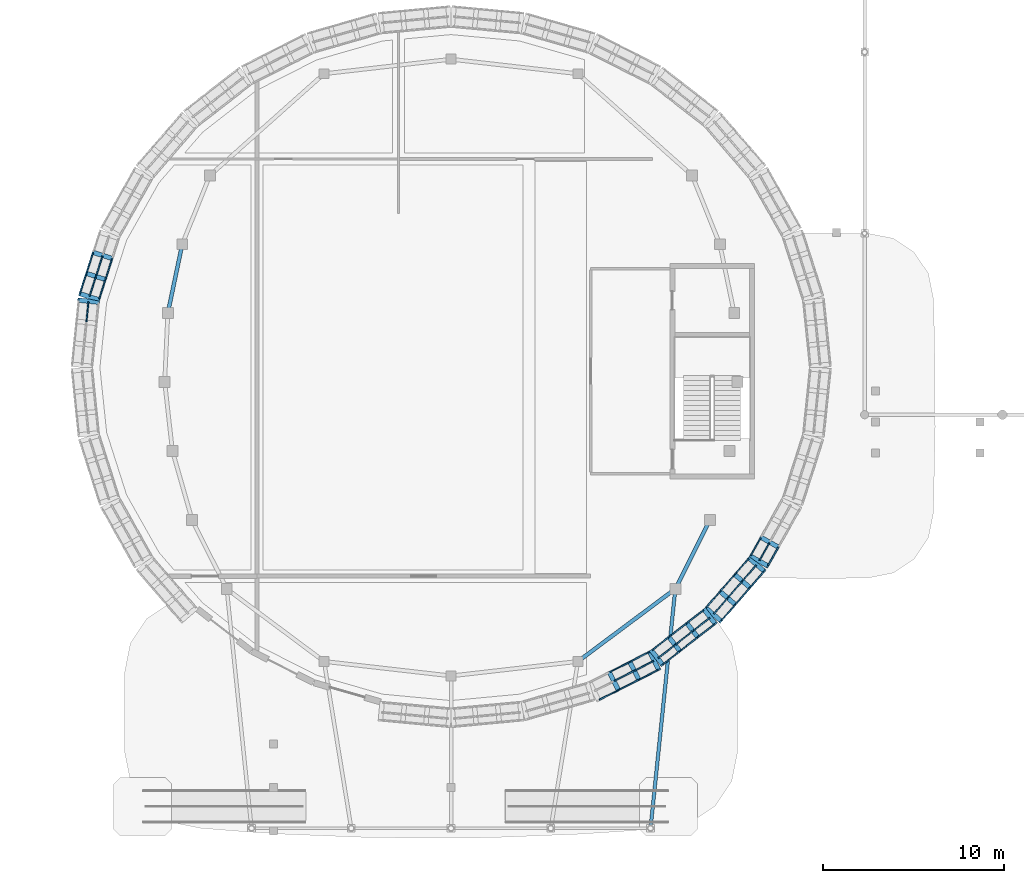
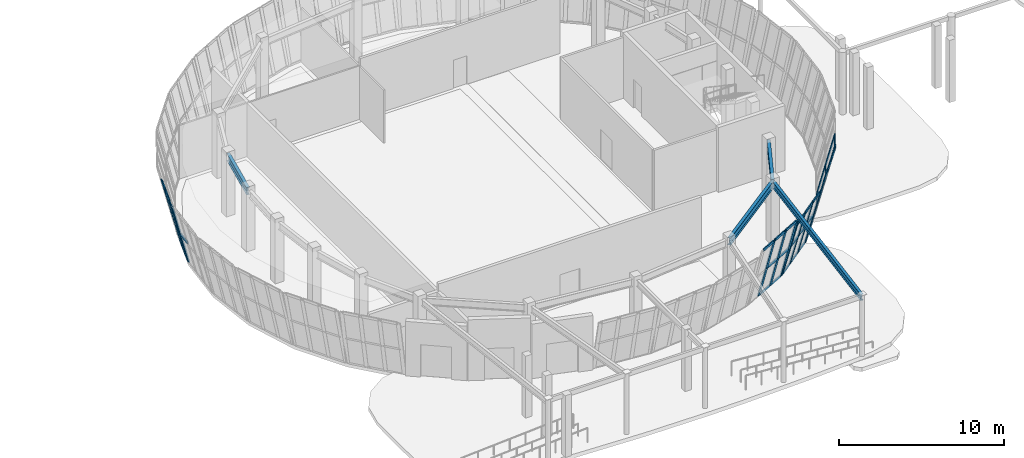
# One storey, part 23 of 120: 52 members, 4 beams, 6 elements without a shape of their own.
"""IFC4 building model written with IfcOpenShell, lengths in metres."""

from ifc_helpers import new_model, si_unit, direction, frame, origin, origin_2d, place, context, subcontext, project, spatial, rectangle, i_section, extrude, material, material_profile, profile_set, type_object, element, aggregate, save


model = new_model("IFC4")

# Units and contexts
model_context = context("Model", 3, precision=1e-05, world=origin(), true_north=direction((0.0, 1.0)))
body_context = subcontext(model_context, "Body", "Model", "MODEL_VIEW")
ifc_project = project(units=[si_unit("LENGTHUNIT", "METRE"), si_unit("AREAUNIT", "SQUARE_METRE"), si_unit("VOLUMEUNIT", "CUBIC_METRE"), si_unit("PLANEANGLEUNIT", "RADIAN"), si_unit("MASSUNIT", "GRAM", prefix="KILO")], contexts=[model_context])

# Site, building, storey
site_placement = place(None, origin())
site = spatial("IfcSite", under=ifc_project, at=site_placement, CompositionType="ELEMENT")
building_placement = place(site_placement, origin())
building = spatial("IfcBuilding", under=site, at=building_placement, Name="Corveleigh Park Community Centre", CompositionType="ELEMENT")
storey_placement = place(building_placement, origin())
storey = spatial("IfcBuildingStorey", under=building, at=storey_placement, Name="L00", CompositionType="ELEMENT", Elevation=0.0)

# Beams
ifc_material_1 = material(Name="Steel S355", Category="steel")
ifc_material_profile_1 = material_profile(ifc_material_1, i_section(OverallWidth=0.19140625, OverallDepth=0.4599609375, WebThickness=0.010009765625, FlangeThickness=0.01611328125, at=origin_2d()), Name="UKB 457x191x82", Category="steel")
ifc_profile_set_1 = profile_set([ifc_material_profile_1], Name="Steel S355")
beam_type_1 = type_object("IfcBeamType", Name="BM-STL-UKB457x82", PredefinedType="BEAM", material=ifc_profile_set_1)
beam_1_placement = place(storey_placement, frame((42.00048828125, 2.205078125, 4.281982421875), z_axis=(0.102937468133, 0.994687829248, 0.0), x_axis=(-0.994687829248, 0.102937468133, 0.0)))
element("IfcBeam", 1, at=beam_1_placement, inside=storey, type_object=beam_type_1, Name="Colonnade Outrigger", PredefinedType="BEAM", context=body_context, shape_type="SweptSolid", body=[
    extrude(i_section(OverallWidth=0.19140625, OverallDepth=0.4599609375, WebThickness=0.010009765625, FlangeThickness=0.01611328125, at=origin_2d()), origin(), (0.0, 0.0, 1.0), 13.260498046875),
])
ifc_material_profile_2 = material_profile(ifc_material_1, i_section(OverallWidth=0.210693359375, OverallDepth=0.53955078125, WebThickness=0.01171875, FlangeThickness=0.018798828125, at=origin_2d()), Name="UKB 533x210x109", Category="steel")
ifc_profile_set_2 = profile_set([ifc_material_profile_2], Name="Steel S355")
beam_type_2 = type_object("IfcBeamType", Name="BM-STL-UKB533x109", PredefinedType="BEAM", material=ifc_profile_set_2)
beam_2_placement = place(storey_placement, frame((38.00390625, 11.403076171875, 4.2421875), z_axis=(0.801771961873, 0.597630087223, 0.0), x_axis=(-0.597630087223, 0.801771961873, 0.0)))
element("IfcBeam", 2, at=beam_2_placement, inside=storey, type_object=beam_type_2, Name="V1 Drum Ring Girder", PredefinedType="BEAM", context=body_context, shape_type="SweptSolid", body=[
    extrude(i_section(OverallWidth=0.210693359375, OverallDepth=0.53955078125, WebThickness=0.01171875, FlangeThickness=0.018798828125, at=origin_2d()), origin(), (0.0, 0.0, 1.0), 6.682861328125),
])
beam_3_placement = place(storey_placement, frame((43.3681640625, 15.404541015625, 4.2421875), z_axis=(0.448916145361, 0.893573888626, 0.0), x_axis=(-0.893573888626, 0.448916145361, 0.0)))
element("IfcBeam", 3, at=beam_3_placement, inside=storey, type_object=beam_type_2, Name="V1 Drum Ring Girder", PredefinedType="BEAM", context=body_context, shape_type="SweptSolid", body=[
    extrude(i_section(OverallWidth=0.210693359375, OverallDepth=0.53955078125, WebThickness=0.01171875, FlangeThickness=0.018798828125, at=origin_2d()), origin(), (0.0, 0.0, 1.0), 4.242431640625),
])
beam_4_placement = place(storey_placement, frame((16.179931640625, 34.39501953125, 4.2421875), z_axis=(-0.204790105702, -0.978805911612, 0.0), x_axis=(0.978805911612, -0.204790105702, 0.0)))
element("IfcBeam", 4, at=beam_4_placement, inside=storey, type_object=beam_type_2, Name="V1 Drum Ring Girder", PredefinedType="BEAM", context=body_context, shape_type="SweptSolid", body=[
    extrude(i_section(OverallWidth=0.210693359375, OverallDepth=0.53955078125, WebThickness=0.01171875, FlangeThickness=0.018798828125, at=origin_2d()), origin(), (0.0, 0.0, 1.0), 3.8720703125),
])

# Curtain wall, members
ifc_material_2 = material(Name="Anodised aluminium 6063-T6", Category="aluminium")
curtain_wall_type = type_object("IfcCurtainWallType", Name="CW-SYS-V1-L00", PredefinedType="NOTDEFINED", material=ifc_material_2)
curtain_wall_1_placement = place(storey_placement, origin())
curtain_wall_1 = element("IfcCurtainWall", 5, at=curtain_wall_1_placement, inside=storey, type_object=curtain_wall_type, Name="Main Hall Flared Drum CW 15", PredefinedType="NOTDEFINED")
ifc_material_profile_3 = material_profile(ifc_material_2, rectangle(XDim=0.080078125, YDim=0.25, at=origin_2d()), Name="ALU-M80x250", Category="aluminium")
ifc_profile_set_3 = profile_set([ifc_material_profile_3], Name="Anodised aluminium 6063-T6")
member_type_1 = type_object("IfcMemberType", Name="CWM-80x250", PredefinedType="MULLION", material=ifc_profile_set_3)
member_1_placement = place(storey_placement, frame((12.32861328125, 33.610595703125, 0.0), z_axis=(-0.230431993261, 0.073713036805, 0.970292473787), x_axis=(0.92415931552, -0.295629910911, 0.241934940249)))
member_1 = element("IfcMember", 6, at=member_1_placement, type_object=member_type_1, Name="CW01 mullion 2", PredefinedType="MULLION", context=body_context, shape_type="SweptSolid", body=[
    extrude(rectangle(XDim=0.080078125, YDim=0.25, at=origin_2d()), origin(), (0.0, 0.0, 1.0), 4.650146484375),
])
member_2_placement = place(storey_placement, frame((11.958251953125, 32.452392578125, 0.0), z_axis=(-0.230432884742, 0.073660819616, 0.970296227594), x_axis=(0.924223979595, -0.295440018996, 0.241919884914)))
member_2 = element("IfcMember", 7, at=member_2_placement, type_object=member_type_1, Name="CW01 mullion 3", PredefinedType="MULLION", context=body_context, shape_type="SweptSolid", body=[
    extrude(rectangle(XDim=0.080078125, YDim=0.25, at=origin_2d()), origin(), (0.0, 0.0, 1.0), 4.650146484375),
])
member_3_placement = place(storey_placement, frame((11.60009765625, 31.33203125, 0.0), z_axis=(-0.230431993261, 0.073713036805, 0.970292473787), x_axis=(0.92415931552, -0.295629910911, 0.241934940249)))
member_3 = element("IfcMember", 8, at=member_3_placement, type_object=member_type_1, Name="CW01 mullion 4", PredefinedType="MULLION", context=body_context, shape_type="SweptSolid", body=[
    extrude(rectangle(XDim=0.080078125, YDim=0.25, at=origin_2d()), origin(), (0.0, 0.0, 1.0), 4.650146484375),
])

# Curtain wall, member
curtain_wall_2_placement = place(storey_placement, origin())
curtain_wall_2 = element("IfcCurtainWall", 9, at=curtain_wall_2_placement, inside=storey, type_object=curtain_wall_type, Name="Main Hall Flared Drum CW 16", PredefinedType="NOTDEFINED")
member_4_placement = place(storey_placement, frame((11.572998046875, 31.201171875, 0.0), z_axis=(-0.240668855263, 0.024885915662, 0.970288201159), x_axis=(0.965142168995, -0.099798732134, 0.241952075196)))
member_4 = element("IfcMember", 10, at=member_4_placement, type_object=member_type_1, Name="CW01 mullion 1", PredefinedType="MULLION", context=body_context, shape_type="SweptSolid", body=[
    extrude(rectangle(XDim=0.080078125, YDim=0.25, at=origin_2d()), origin(), (0.0, 0.0, 1.0), 4.650146484375),
])

# Curtain wall, members
curtain_wall_3_placement = place(storey_placement, origin())
curtain_wall_3 = element("IfcCurtainWall", 11, at=curtain_wall_3_placement, inside=storey, type_object=curtain_wall_type, Name="Main Hall Flared Drum CW 24", PredefinedType="NOTDEFINED")
member_5_placement = place(storey_placement, frame((39.725341796875, 10.813720703125, 0.0), z_axis=(0.10946752743, -0.215732407774, 0.970297062077), x_axis=(-0.439060599847, 0.865275781665, 0.241916537933)))
member_5 = element("IfcMember", 12, at=member_5_placement, type_object=member_type_1, Name="CW01 mullion 2", PredefinedType="MULLION", context=body_context, shape_type="SweptSolid", body=[
    extrude(rectangle(XDim=0.080078125, YDim=0.25, at=origin_2d()), origin(), (0.0, 0.0, 1.0), 4.650146484375),
])
member_6_placement = place(storey_placement, frame((40.8515625, 11.38525390625, 0.0), z_axis=(0.10951940025, -0.215731167607, 0.97029148419), x_axis=(-0.439225512909, 0.865185825763, 0.241938909041)))
member_6 = element("IfcMember", 13, at=member_6_placement, type_object=member_type_1, Name="CW01 mullion 3", PredefinedType="MULLION", context=body_context, shape_type="SweptSolid", body=[
    extrude(rectangle(XDim=0.080078125, YDim=0.25, at=origin_2d()), origin(), (0.0, 0.0, 1.0), 4.650146484375),
])
member_7_placement = place(storey_placement, frame((41.9423828125, 11.93896484375, 0.0), z_axis=(0.10946752743, -0.215732407774, 0.970297062077), x_axis=(-0.439060599847, 0.865275781665, 0.241916537933)))
member_7 = element("IfcMember", 14, at=member_7_placement, type_object=member_type_1, Name="CW01 mullion 4", PredefinedType="MULLION", context=body_context, shape_type="SweptSolid", body=[
    extrude(rectangle(XDim=0.080078125, YDim=0.25, at=origin_2d()), origin(), (0.0, 0.0, 1.0), 4.650146484375),
])

curtain_wall_4_placement = place(storey_placement, origin())
curtain_wall_4 = element("IfcCurtainWall", 15, at=curtain_wall_4_placement, inside=storey, type_object=curtain_wall_type, Name="Main Hall Flared Drum CW 25", PredefinedType="NOTDEFINED")
member_8_placement = place(storey_placement, frame((42.051513671875, 12.007568359375, 0.0), z_axis=(0.14870138278, -0.190743532406, 0.970311704353), x_axis=(-0.596576546064, 0.765245861335, 0.241857802015)))
member_8 = element("IfcMember", 16, at=member_8_placement, type_object=member_type_1, Name="CW01 mullion 1", PredefinedType="MULLION", context=body_context, shape_type="SweptSolid", body=[
    extrude(rectangle(XDim=0.080078125, YDim=0.25, at=origin_2d()), origin(), (0.0, 0.0, 1.0), 4.16357421875),
])
member_9_placement = place(storey_placement, frame((43.006591796875, 12.751953125, 0.0), z_axis=(0.14870138278, -0.190743532406, 0.970311704353), x_axis=(-0.596576546064, 0.765245861335, 0.241857802015)))
member_9 = element("IfcMember", 17, at=member_9_placement, type_object=member_type_1, Name="CW01 mullion 2", PredefinedType="MULLION", context=body_context, shape_type="SweptSolid", body=[
    extrude(rectangle(XDim=0.080078125, YDim=0.25, at=origin_2d()), origin(), (0.0, 0.0, 1.0), 4.16357421875),
])
member_10_placement = place(storey_placement, frame((43.993408203125, 13.52099609375, 0.0), z_axis=(0.148644042407, -0.190745195247, 0.970320163218), x_axis=(-0.5964353953, 0.76536660391, 0.241823863283)))
member_10 = element("IfcMember", 18, at=member_10_placement, type_object=member_type_1, Name="CW01 mullion 3", PredefinedType="MULLION", context=body_context, shape_type="SweptSolid", body=[
    extrude(rectangle(XDim=0.080078125, YDim=0.25, at=origin_2d()), origin(), (0.0, 0.0, 1.0), 4.16357421875),
])
member_11_placement = place(storey_placement, frame((44.948486328125, 14.265380859375, 0.0), z_axis=(0.148644042407, -0.190745195247, 0.970320163218), x_axis=(-0.5964353953, 0.76536660391, 0.241823863283)))
member_11 = element("IfcMember", 19, at=member_11_placement, type_object=member_type_1, Name="CW01 mullion 4", PredefinedType="MULLION", context=body_context, shape_type="SweptSolid", body=[
    extrude(rectangle(XDim=0.080078125, YDim=0.25, at=origin_2d()), origin(), (0.0, 0.0, 1.0), 4.16357421875),
])

curtain_wall_5_placement = place(storey_placement, origin())
curtain_wall_5 = element("IfcCurtainWall", 20, at=curtain_wall_5_placement, inside=storey, type_object=curtain_wall_type, Name="Main Hall Flared Drum CW 26", PredefinedType="NOTDEFINED")
member_12_placement = place(storey_placement, frame((45.044189453125, 14.356201171875, 0.0), z_axis=(0.183023592492, -0.158189926615, 0.970298053027), x_axis=(-0.734097613689, 0.634491138854, 0.241912563318)))
member_12 = element("IfcMember", 21, at=member_12_placement, type_object=member_type_1, Name="CW01 mullion 1", PredefinedType="MULLION", context=body_context, shape_type="SweptSolid", body=[
    extrude(rectangle(XDim=0.080078125, YDim=0.25, at=origin_2d()), origin(), (0.0, 0.0, 1.0), 4.650146484375),
])
member_13_placement = place(storey_placement, frame((45.827392578125, 15.262451171875, 0.0), z_axis=(0.183022072182, -0.158241114618, 0.970289993115), x_axis=(-0.733987338895, 0.634606379641, 0.241944888893)))
member_13 = element("IfcMember", 22, at=member_13_placement, type_object=member_type_1, Name="CW01 mullion 2", PredefinedType="MULLION", context=body_context, shape_type="SweptSolid", body=[
    extrude(rectangle(XDim=0.080078125, YDim=0.25, at=origin_2d()), origin(), (0.0, 0.0, 1.0), 4.650146484375),
])
member_14_placement = place(storey_placement, frame((46.63671875, 16.19873046875, 0.0), z_axis=(0.183022072182, -0.158241114618, 0.970289993115), x_axis=(-0.733987338895, 0.634606379641, 0.241944888893)))
member_14 = element("IfcMember", 23, at=member_14_placement, type_object=member_type_1, Name="CW01 mullion 3", PredefinedType="MULLION", context=body_context, shape_type="SweptSolid", body=[
    extrude(rectangle(XDim=0.080078125, YDim=0.25, at=origin_2d()), origin(), (0.0, 0.0, 1.0), 4.650146484375),
])
member_15_placement = place(storey_placement, frame((47.419921875, 17.104736328125, 0.0), z_axis=(0.183023592492, -0.158189926615, 0.970298053027), x_axis=(-0.734097613689, 0.634491138854, 0.241912563318)))
member_15 = element("IfcMember", 24, at=member_15_placement, type_object=member_type_1, Name="CW01 mullion 4", PredefinedType="MULLION", context=body_context, shape_type="SweptSolid", body=[
    extrude(rectangle(XDim=0.080078125, YDim=0.25, at=origin_2d()), origin(), (0.0, 0.0, 1.0), 4.650146484375),
])

curtain_wall_6_placement = place(storey_placement, origin())
curtain_wall_6 = element("IfcCurtainWall", 25, at=curtain_wall_6_placement, inside=storey, type_object=curtain_wall_type, Name="Main Hall Flared Drum CW 27", PredefinedType="NOTDEFINED")
member_16_placement = place(storey_placement, frame((47.49560546875, 17.212890625, 0.0), z_axis=(0.210848303174, -0.118654672603, 0.9702907099), x_axis=(-0.845591661137, 0.475855865082, 0.241942014296)))
member_16 = element("IfcMember", 26, at=member_16_placement, type_object=member_type_1, Name="CW01 mullion 1", PredefinedType="MULLION", context=body_context, shape_type="SweptSolid", body=[
    extrude(rectangle(XDim=0.080078125, YDim=0.25, at=origin_2d()), origin(), (0.0, 0.0, 1.0), 4.650146484375),
])
member_17_placement = place(storey_placement, frame((48.077392578125, 18.246337890625, 0.0), z_axis=(0.210798134358, -0.118655985965, 0.970301449832), x_axis=(-0.845550363495, 0.475951138605, 0.241898938514)))
member_17 = element("IfcMember", 27, at=member_17_placement, type_object=member_type_1, Name="CW01 mullion 2", PredefinedType="MULLION", context=body_context, shape_type="SweptSolid", body=[
    extrude(rectangle(XDim=0.080078125, YDim=0.25, at=origin_2d()), origin(), (0.0, 0.0, 1.0), 4.650146484375),
])

# Member
ifc_material_profile_4 = material_profile(ifc_material_2, rectangle(XDim=0.074951171875, YDim=0.175048828125, at=origin_2d()), Name="ALU-T75x175", Category="aluminium")
ifc_profile_set_4 = profile_set([ifc_material_profile_4], Name="Anodised aluminium 6063-T6")
member_type_2 = type_object("IfcMemberType", Name="CWT-75x175", PredefinedType="USERDEFINED", material=ifc_profile_set_4)
member_18_placement = place(storey_placement, frame((12.3076171875, 33.575439453125, 0.03759765625), z_axis=(-0.304471649393, -0.952521398561, 0.0), x_axis=(0.952521398561, -0.304471649393, 0.0)))
member_18 = element("IfcMember", 28, at=member_18_placement, type_object=member_type_2, Name="CW01 transom 2.1", ObjectType="TRANSOM", PredefinedType="USERDEFINED", context=body_context, shape_type="SweptSolid", body=[
    extrude(rectangle(XDim=0.074951171875, YDim=0.175048828125, at=origin_2d()), origin(), (0.0, 0.0, 1.0), 1.13623046875),
])

member_19_placement = place(storey_placement, frame((11.7822265625, 33.743408203125, 2.25), z_axis=(-0.304728941426, -0.952439117349, 0.0), x_axis=(0.952439117349, -0.304728941426, 0.0)))
member_19 = element("IfcMember", 29, at=member_19_placement, type_object=member_type_2, Name="CW01 transom 2.2", ObjectType="TRANSOM", PredefinedType="USERDEFINED", context=body_context, shape_type="SweptSolid", body=[
    extrude(rectangle(XDim=0.074951171875, YDim=0.175048828125, at=origin_2d()), origin(), (0.0, 0.0, 1.0), 1.135986328125),
])

member_20_placement = place(storey_placement, frame((11.25390625, 33.912353515625, 4.474609375), z_axis=(-0.304471649393, -0.952521398561, 0.0), x_axis=(0.952521398561, -0.304471649393, 0.0)))
member_20 = element("IfcMember", 30, at=member_20_placement, type_object=member_type_2, Name="CW01 transom 2.3", ObjectType="TRANSOM", PredefinedType="USERDEFINED", context=body_context, shape_type="SweptSolid", body=[
    extrude(rectangle(XDim=0.074951171875, YDim=0.175048828125, at=origin_2d()), origin(), (0.0, 0.0, 1.0), 1.13623046875),
])

member_21_placement = place(storey_placement, frame((11.937255859375, 32.4169921875, 0.03759765625), z_axis=(-0.304508988552, -0.952509462363, 0.0), x_axis=(0.952509462363, -0.304508988552, 0.0)))
member_21 = element("IfcMember", 31, at=member_21_placement, type_object=member_type_2, Name="CW01 transom 3.1", ObjectType="TRANSOM", PredefinedType="USERDEFINED", context=body_context, shape_type="SweptSolid", body=[
    extrude(rectangle(XDim=0.074951171875, YDim=0.175048828125, at=origin_2d()), origin(), (0.0, 0.0, 1.0), 1.095947265625),
])

member_22_placement = place(storey_placement, frame((11.411865234375, 32.5849609375, 2.25), z_axis=(-0.304508988552, -0.952509462363, 0.0), x_axis=(0.952509462363, -0.304508988552, 0.0)))
member_22 = element("IfcMember", 32, at=member_22_placement, type_object=member_type_2, Name="CW01 transom 3.2", ObjectType="TRANSOM", PredefinedType="USERDEFINED", context=body_context, shape_type="SweptSolid", body=[
    extrude(rectangle(XDim=0.074951171875, YDim=0.175048828125, at=origin_2d()), origin(), (0.0, 0.0, 1.0), 1.095947265625),
])

member_23_placement = place(storey_placement, frame((10.883544921875, 32.75390625, 4.474609375), z_axis=(-0.304508988552, -0.952509462363, 0.0), x_axis=(0.952509462363, -0.304508988552, 0.0)))
member_23 = element("IfcMember", 33, at=member_23_placement, type_object=member_type_2, Name="CW01 transom 3.3", ObjectType="TRANSOM", PredefinedType="USERDEFINED", context=body_context, shape_type="SweptSolid", body=[
    extrude(rectangle(XDim=0.074951171875, YDim=0.175048828125, at=origin_2d()), origin(), (0.0, 0.0, 1.0), 1.095947265625),
])

aggregate(curtain_wall_1, [member_1, member_2, member_3, member_18, member_19, member_20, member_21, member_22, member_23])

member_24_placement = place(storey_placement, frame((11.0107421875, 31.21923828125, 2.25), z_axis=(-0.102914417151, -0.99469021446, 0.0), x_axis=(0.99469021446, -0.102914417151, 0.0)))
member_24 = element("IfcMember", 34, at=member_24_placement, type_object=member_type_2, Name="CW01 transom 1.2", ObjectType="TRANSOM", PredefinedType="USERDEFINED", context=body_context, shape_type="SweptSolid", body=[
    extrude(rectangle(XDim=0.074951171875, YDim=0.175048828125, at=origin_2d()), origin(), (0.0, 0.0, 1.0), 1.09130859375),
])

aggregate(curtain_wall_2, [member_4, member_24])

member_25_placement = place(storey_placement, frame((39.17529296875, 9.283447265625, 4.474609375), z_axis=(0.89171981789, 0.452587854877, 0.0), x_axis=(-0.452587854877, 0.89171981789, 0.0)))
member_25 = element("IfcMember", 35, at=member_25_placement, type_object=member_type_2, Name="CW01 transom 1.3", ObjectType="TRANSOM", PredefinedType="USERDEFINED", context=body_context, shape_type="SweptSolid", body=[
    extrude(rectangle(XDim=0.074951171875, YDim=0.175048828125, at=origin_2d()), origin(), (0.0, 0.0, 1.0), 1.14306640625),
])

member_26_placement = place(storey_placement, frame((39.76513671875, 10.823486328125, 0.03759765625), z_axis=(0.891770533494, 0.45248791762, 0.0), x_axis=(-0.45248791762, 0.891770533494, 0.0)))
member_26 = element("IfcMember", 36, at=member_26_placement, type_object=member_type_2, Name="CW01 transom 2.1", ObjectType="TRANSOM", PredefinedType="USERDEFINED", context=body_context, shape_type="SweptSolid", body=[
    extrude(rectangle(XDim=0.074951171875, YDim=0.175048828125, at=origin_2d()), origin(), (0.0, 0.0, 1.0), 1.183349609375),
])

member_27_placement = place(storey_placement, frame((40.014892578125, 10.33154296875, 2.25), z_axis=(0.891728276149, 0.452571189446, 0.0), x_axis=(-0.452571189446, 0.891728276149, 0.0)))
member_27 = element("IfcMember", 37, at=member_27_placement, type_object=member_type_2, Name="CW01 transom 2.2", ObjectType="TRANSOM", PredefinedType="USERDEFINED", context=body_context, shape_type="SweptSolid", body=[
    extrude(rectangle(XDim=0.074951171875, YDim=0.175048828125, at=origin_2d()), origin(), (0.0, 0.0, 1.0), 1.18310546875),
])

member_28_placement = place(storey_placement, frame((40.265869140625, 9.8369140625, 4.474609375), z_axis=(0.891770533494, 0.45248791762, 0.0), x_axis=(-0.45248791762, 0.891770533494, 0.0)))
member_28 = element("IfcMember", 38, at=member_28_placement, type_object=member_type_2, Name="CW01 transom 2.3", ObjectType="TRANSOM", PredefinedType="USERDEFINED", context=body_context, shape_type="SweptSolid", body=[
    extrude(rectangle(XDim=0.074951171875, YDim=0.175048828125, at=origin_2d()), origin(), (0.0, 0.0, 1.0), 1.183349609375),
])

member_29_placement = place(storey_placement, frame((40.8916015625, 11.39501953125, 0.03759765625), z_axis=(0.89171981789, 0.452587854877, 0.0), x_axis=(-0.452587854877, 0.89171981789, 0.0)))
member_29 = element("IfcMember", 39, at=member_29_placement, type_object=member_type_2, Name="CW01 transom 3.1", ObjectType="TRANSOM", PredefinedType="USERDEFINED", context=body_context, shape_type="SweptSolid", body=[
    extrude(rectangle(XDim=0.074951171875, YDim=0.175048828125, at=origin_2d()), origin(), (0.0, 0.0, 1.0), 1.14306640625),
])

member_30_placement = place(storey_placement, frame((41.141357421875, 10.903076171875, 2.25), z_axis=(0.89163361085, 0.452757665869, 0.0), x_axis=(-0.452757665869, 0.89163361085, 0.0)))
member_30 = element("IfcMember", 40, at=member_30_placement, type_object=member_type_2, Name="CW01 transom 3.2", ObjectType="TRANSOM", PredefinedType="USERDEFINED", context=body_context, shape_type="SweptSolid", body=[
    extrude(rectangle(XDim=0.074951171875, YDim=0.175048828125, at=origin_2d()), origin(), (0.0, 0.0, 1.0), 1.14306640625),
])

member_31_placement = place(storey_placement, frame((41.392333984375, 10.40869140625, 4.474609375), z_axis=(0.89171981789, 0.452587854877, 0.0), x_axis=(-0.452587854877, 0.89171981789, 0.0)))
member_31 = element("IfcMember", 41, at=member_31_placement, type_object=member_type_2, Name="CW01 transom 3.3", ObjectType="TRANSOM", PredefinedType="USERDEFINED", context=body_context, shape_type="SweptSolid", body=[
    extrude(rectangle(XDim=0.074951171875, YDim=0.175048828125, at=origin_2d()), origin(), (0.0, 0.0, 1.0), 1.14306640625),
])

aggregate(curtain_wall_3, [member_5, member_6, member_7, member_25, member_26, member_27, member_28, member_29, member_30, member_31])

member_32_placement = place(storey_placement, frame((42.0888671875, 12.02490234375, 0.03759765625), z_axis=(0.788828834815, 0.614612942725, 0.0), x_axis=(-0.614612942725, 0.788828834815, 0.0)))
member_32 = element("IfcMember", 42, at=member_32_placement, type_object=member_type_2, Name="CW01 transom 1.1", ObjectType="TRANSOM", PredefinedType="USERDEFINED", context=body_context, shape_type="SweptSolid", body=[
    extrude(rectangle(XDim=0.074951171875, YDim=0.175048828125, at=origin_2d()), origin(), (0.0, 0.0, 1.0), 1.130859375),
])

member_33_placement = place(storey_placement, frame((42.427978515625, 11.58984375, 2.25), z_axis=(0.788642578466, 0.614851919921, 0.0), x_axis=(-0.614851919921, 0.788642578466, 0.0)))
member_33 = element("IfcMember", 43, at=member_33_placement, type_object=member_type_2, Name="CW01 transom 1.2", ObjectType="TRANSOM", PredefinedType="USERDEFINED", context=body_context, shape_type="SweptSolid", body=[
    extrude(rectangle(XDim=0.074951171875, YDim=0.175048828125, at=origin_2d()), origin(), (0.0, 0.0, 1.0), 1.130859375),
])

member_34_placement = place(storey_placement, frame((42.6962890625, 11.245361328125, 4.00244140625), z_axis=(0.788828834815, 0.614612942725, 0.0), x_axis=(-0.614612942725, 0.788828834815, 0.0)))
member_34 = element("IfcMember", 44, at=member_34_placement, type_object=member_type_2, Name="CW01 transom 1.3", ObjectType="TRANSOM", PredefinedType="USERDEFINED", context=body_context, shape_type="SweptSolid", body=[
    extrude(rectangle(XDim=0.074951171875, YDim=0.175048828125, at=origin_2d()), origin(), (0.0, 0.0, 1.0), 1.130859375),
])

member_35_placement = place(storey_placement, frame((43.0439453125, 12.769287109375, 0.03759765625), z_axis=(0.788779283732, 0.614676534085, 0.0), x_axis=(-0.614676534085, 0.788779283732, 0.0)))
member_35 = element("IfcMember", 45, at=member_35_placement, type_object=member_type_2, Name="CW01 transom 2.1", ObjectType="TRANSOM", PredefinedType="USERDEFINED", context=body_context, shape_type="SweptSolid", body=[
    extrude(rectangle(XDim=0.074951171875, YDim=0.175048828125, at=origin_2d()), origin(), (0.0, 0.0, 1.0), 1.1708984375),
])

member_36_placement = place(storey_placement, frame((43.383056640625, 12.334228515625, 2.25), z_axis=(0.788779283732, 0.614676534085, 0.0), x_axis=(-0.614676534085, 0.788779283732, 0.0)))
member_36 = element("IfcMember", 46, at=member_36_placement, type_object=member_type_2, Name="CW01 transom 2.2", ObjectType="TRANSOM", PredefinedType="USERDEFINED", context=body_context, shape_type="SweptSolid", body=[
    extrude(rectangle(XDim=0.074951171875, YDim=0.175048828125, at=origin_2d()), origin(), (0.0, 0.0, 1.0), 1.1708984375),
])

member_37_placement = place(storey_placement, frame((43.651611328125, 11.98974609375, 4.00244140625), z_axis=(0.788779283732, 0.614676534085, 0.0), x_axis=(-0.614676534085, 0.788779283732, 0.0)))
member_37 = element("IfcMember", 47, at=member_37_placement, type_object=member_type_2, Name="CW01 transom 2.3", ObjectType="TRANSOM", PredefinedType="USERDEFINED", context=body_context, shape_type="SweptSolid", body=[
    extrude(rectangle(XDim=0.074951171875, YDim=0.175048828125, at=origin_2d()), origin(), (0.0, 0.0, 1.0), 1.1708984375),
])

member_38_placement = place(storey_placement, frame((44.030517578125, 13.538330078125, 0.03759765625), z_axis=(0.788828834815, 0.614612942725, 0.0), x_axis=(-0.614612942725, 0.788828834815, 0.0)))
member_38 = element("IfcMember", 48, at=member_38_placement, type_object=member_type_2, Name="CW01 transom 3.1", ObjectType="TRANSOM", PredefinedType="USERDEFINED", context=body_context, shape_type="SweptSolid", body=[
    extrude(rectangle(XDim=0.074951171875, YDim=0.175048828125, at=origin_2d()), origin(), (0.0, 0.0, 1.0), 1.130859375),
])

member_39_placement = place(storey_placement, frame((44.36962890625, 13.103271484375, 2.25), z_axis=(0.788724172933, 0.614747248088, 0.0), x_axis=(-0.614747248088, 0.788724172933, 0.0)))
member_39 = element("IfcMember", 49, at=member_39_placement, type_object=member_type_2, Name="CW01 transom 3.2", ObjectType="TRANSOM", PredefinedType="USERDEFINED", context=body_context, shape_type="SweptSolid", body=[
    extrude(rectangle(XDim=0.074951171875, YDim=0.175048828125, at=origin_2d()), origin(), (0.0, 0.0, 1.0), 1.131103515625),
])

member_40_placement = place(storey_placement, frame((44.63818359375, 12.7587890625, 4.00244140625), z_axis=(0.788828834815, 0.614612942725, 0.0), x_axis=(-0.614612942725, 0.788828834815, 0.0)))
member_40 = element("IfcMember", 50, at=member_40_placement, type_object=member_type_2, Name="CW01 transom 3.3", ObjectType="TRANSOM", PredefinedType="USERDEFINED", context=body_context, shape_type="SweptSolid", body=[
    extrude(rectangle(XDim=0.074951171875, YDim=0.175048828125, at=origin_2d()), origin(), (0.0, 0.0, 1.0), 1.130859375),
])

aggregate(curtain_wall_4, [member_8, member_9, member_10, member_11, member_32, member_33, member_34, member_35, member_36, member_37, member_38, member_39, member_40])

member_41_placement = place(storey_placement, frame((45.077392578125, 14.38037109375, 0.03759765625), z_axis=(0.653915512177, 0.756567579886, 0.0), x_axis=(-0.756567579886, 0.653915512177, 0.0)))
member_41 = element("IfcMember", 51, at=member_41_placement, type_object=member_type_2, Name="CW01 transom 1.1", ObjectType="TRANSOM", PredefinedType="USERDEFINED", context=body_context, shape_type="SweptSolid", body=[
    extrude(rectangle(XDim=0.074951171875, YDim=0.175048828125, at=origin_2d()), origin(), (0.0, 0.0, 1.0), 1.117919921875),
])

member_42_placement = place(storey_placement, frame((45.49462890625, 14.019775390625, 2.25), z_axis=(0.654023576954, 0.756474163992, 0.0), x_axis=(-0.756474163992, 0.654023576954, 0.0)))
member_42 = element("IfcMember", 52, at=member_42_placement, type_object=member_type_2, Name="CW01 transom 1.2", ObjectType="TRANSOM", PredefinedType="USERDEFINED", context=body_context, shape_type="SweptSolid", body=[
    extrude(rectangle(XDim=0.074951171875, YDim=0.175048828125, at=origin_2d()), origin(), (0.0, 0.0, 1.0), 1.11767578125),
])

member_43_placement = place(storey_placement, frame((45.914306640625, 13.656982421875, 4.474609375), z_axis=(0.654023576954, 0.756474163992, 0.0), x_axis=(-0.756474163992, 0.654023576954, 0.0)))
member_43 = element("IfcMember", 53, at=member_43_placement, type_object=member_type_2, Name="CW01 transom 1.3", ObjectType="TRANSOM", PredefinedType="USERDEFINED", context=body_context, shape_type="SweptSolid", body=[
    extrude(rectangle(XDim=0.074951171875, YDim=0.175048828125, at=origin_2d()), origin(), (0.0, 0.0, 1.0), 1.11767578125),
])

member_44_placement = place(storey_placement, frame((45.860595703125, 15.286376953125, 0.03759765625), z_axis=(0.653894326994, 0.756585890118, 0.0), x_axis=(-0.756585890118, 0.653894326994, 0.0)))
member_44 = element("IfcMember", 54, at=member_44_placement, type_object=member_type_2, Name="CW01 transom 2.1", ObjectType="TRANSOM", PredefinedType="USERDEFINED", context=body_context, shape_type="SweptSolid", body=[
    extrude(rectangle(XDim=0.074951171875, YDim=0.175048828125, at=origin_2d()), origin(), (0.0, 0.0, 1.0), 1.15771484375),
])

member_45_placement = place(storey_placement, frame((46.27783203125, 14.92578125, 2.25), z_axis=(0.65399865839, 0.756495707076, 0.0), x_axis=(-0.756495707076, 0.65399865839, 0.0)))
member_45 = element("IfcMember", 55, at=member_45_placement, type_object=member_type_2, Name="CW01 transom 2.2", ObjectType="TRANSOM", PredefinedType="USERDEFINED", context=body_context, shape_type="SweptSolid", body=[
    extrude(rectangle(XDim=0.074951171875, YDim=0.175048828125, at=origin_2d()), origin(), (0.0, 0.0, 1.0), 1.15771484375),
])

member_46_placement = place(storey_placement, frame((46.697509765625, 14.56298828125, 4.474609375), z_axis=(0.65399865839, 0.756495707076, 0.0), x_axis=(-0.756495707076, 0.65399865839, 0.0)))
member_46 = element("IfcMember", 56, at=member_46_placement, type_object=member_type_2, Name="CW01 transom 2.3", ObjectType="TRANSOM", PredefinedType="USERDEFINED", context=body_context, shape_type="SweptSolid", body=[
    extrude(rectangle(XDim=0.074951171875, YDim=0.175048828125, at=origin_2d()), origin(), (0.0, 0.0, 1.0), 1.15771484375),
])

member_47_placement = place(storey_placement, frame((46.669921875, 16.222900390625, 0.03759765625), z_axis=(0.654023576954, 0.756474163992, 0.0), x_axis=(-0.756474163992, 0.654023576954, 0.0)))
member_47 = element("IfcMember", 57, at=member_47_placement, type_object=member_type_2, Name="CW01 transom 3.1", ObjectType="TRANSOM", PredefinedType="USERDEFINED", context=body_context, shape_type="SweptSolid", body=[
    extrude(rectangle(XDim=0.074951171875, YDim=0.175048828125, at=origin_2d()), origin(), (0.0, 0.0, 1.0), 1.11767578125),
])

member_48_placement = place(storey_placement, frame((47.087158203125, 15.862060546875, 2.25), z_axis=(0.654023576954, 0.756474163992, 0.0), x_axis=(-0.756474163992, 0.654023576954, 0.0)))
member_48 = element("IfcMember", 58, at=member_48_placement, type_object=member_type_2, Name="CW01 transom 3.2", ObjectType="TRANSOM", PredefinedType="USERDEFINED", context=body_context, shape_type="SweptSolid", body=[
    extrude(rectangle(XDim=0.074951171875, YDim=0.175048828125, at=origin_2d()), origin(), (0.0, 0.0, 1.0), 1.11767578125),
])

member_49_placement = place(storey_placement, frame((47.5068359375, 15.499267578125, 4.474609375), z_axis=(0.653915512177, 0.756567579886, 0.0), x_axis=(-0.756567579886, 0.653915512177, 0.0)))
member_49 = element("IfcMember", 59, at=member_49_placement, type_object=member_type_2, Name="CW01 transom 3.3", ObjectType="TRANSOM", PredefinedType="USERDEFINED", context=body_context, shape_type="SweptSolid", body=[
    extrude(rectangle(XDim=0.074951171875, YDim=0.175048828125, at=origin_2d()), origin(), (0.0, 0.0, 1.0), 1.117919921875),
])

aggregate(curtain_wall_5, [member_12, member_13, member_14, member_15, member_41, member_42, member_43, member_44, member_45, member_46, member_47, member_48, member_49])

member_50_placement = place(storey_placement, frame((47.5234375, 17.2431640625, 0.03759765625), z_axis=(0.490565186833, 0.871404497043, 0.0), x_axis=(-0.871404497043, 0.490565186833, 0.0)))
member_50 = element("IfcMember", 60, at=member_50_placement, type_object=member_type_2, Name="CW01 transom 1.1", ObjectType="TRANSOM", PredefinedType="USERDEFINED", context=body_context, shape_type="SweptSolid", body=[
    extrude(rectangle(XDim=0.074951171875, YDim=0.175048828125, at=origin_2d()), origin(), (0.0, 0.0, 1.0), 1.105712890625),
])

member_51_placement = place(storey_placement, frame((48.004150390625, 16.97265625, 2.25), z_axis=(0.490565186833, 0.871404497043, 0.0), x_axis=(-0.871404497043, 0.490565186833, 0.0)))
member_51 = element("IfcMember", 61, at=member_51_placement, type_object=member_type_2, Name="CW01 transom 1.2", ObjectType="TRANSOM", PredefinedType="USERDEFINED", context=body_context, shape_type="SweptSolid", body=[
    extrude(rectangle(XDim=0.074951171875, YDim=0.175048828125, at=origin_2d()), origin(), (0.0, 0.0, 1.0), 1.105712890625),
])

member_52_placement = place(storey_placement, frame((48.487548828125, 16.700439453125, 4.474609375), z_axis=(0.490470824454, 0.871457612486, 0.0), x_axis=(-0.871457612486, 0.490470824454, 0.0)))
member_52 = element("IfcMember", 62, at=member_52_placement, type_object=member_type_2, Name="CW01 transom 1.3", ObjectType="TRANSOM", PredefinedType="USERDEFINED", context=body_context, shape_type="SweptSolid", body=[
    extrude(rectangle(XDim=0.074951171875, YDim=0.175048828125, at=origin_2d()), origin(), (0.0, 0.0, 1.0), 1.10595703125),
])

aggregate(curtain_wall_6, [member_16, member_17, member_50, member_51, member_52])

save(model, "model.ifc")
